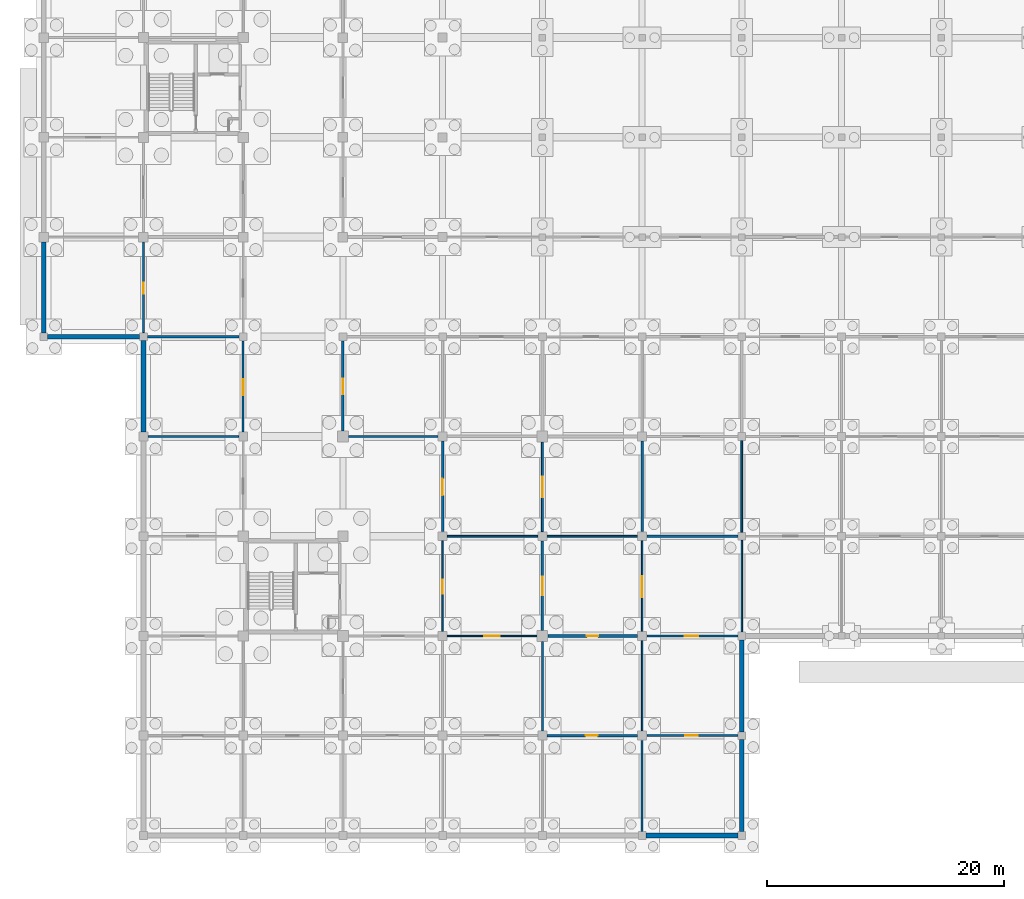
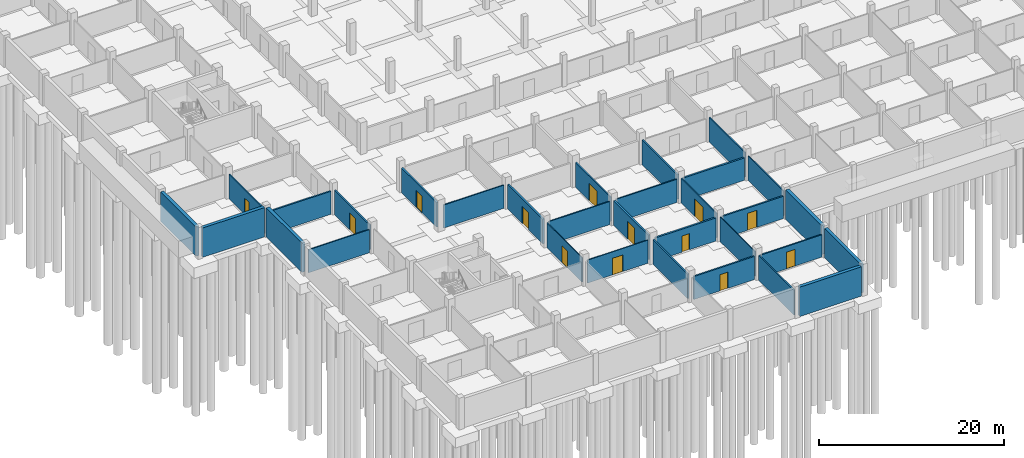
# One storey, part 20 of 43: 31 walls, 13 doors, 13 openings.
"""IFC4 building model written with IfcOpenShell, lengths in metres."""

import ifcopenshell
import ifcopenshell.guid

model = None  # the IFC model being written
_history = None  # IfcOwnerHistory: only IFC2X3 demands one
_inside = {}  # id of a spatial element -> (the spatial element, [elements in it])
_under = {}  # id of a project, library or spatial element -> (it, [spatial elements below it])
_declared = {}  # id of a project -> (the project, [libraries it declares])
_typed = {}  # id of a type object -> (the type object, [elements of that type])
_made_of = {}  # id of a material, layer set ... -> (it, [elements and type objects made of it])


def new_model(schema):
    """Start an empty IFC model of exactly this schema.

    Asked for "IFC4X3", IfcOpenShell would pick the latest addendum, in which some entities
    have other attributes; the version numbers below select the first issue.
    IFC2X3 requires an IfcOwnerHistory on every rooted entity: one is made here for all.
    """
    global model, _history
    if schema == "IFC4X3":
        model = ifcopenshell.file(schema_version=(4, 3, 0, 0))
    else:
        model = ifcopenshell.file(schema=schema)
    _inside.clear()
    _under.clear()
    _declared.clear()
    _typed.clear()
    _made_of.clear()
    _history = None
    if model.schema == "IFC2X3":
        org = make("IfcOrganization", Name="unknown")
        user = make(
            "IfcPersonAndOrganization",
            ThePerson=make("IfcPerson", FamilyName="unknown"),
            TheOrganization=org,
        )
        app = make(
            "IfcApplication",
            ApplicationDeveloper=org,
            Version="unknown",
            ApplicationFullName="unknown",
            ApplicationIdentifier="unknown",
        )
        _history = make(
            "IfcOwnerHistory",
            OwningUser=user,
            OwningApplication=app,
            ChangeAction="ADDED",
            CreationDate=0,
        )
    return model


def make(cls, **values):
    """One entity of the class cls with the attributes given. An attribute that is None is left unset."""
    return model.create_entity(
        cls, **{name: value for name, value in values.items() if value is not None}
    )


def rooted(cls, **values):
    """An entity with a GlobalId (a new one), such as an element, a storey or a relation."""
    return make(cls, GlobalId=ifcopenshell.guid.new(), OwnerHistory=_history, **values)


def si_unit(unit_type, name, prefix=None):
    """IfcSIUnit, for example si_unit("LENGTHUNIT", "METRE", prefix="MILLI")."""
    return make("IfcSIUnit", UnitType=unit_type, Prefix=prefix, Name=name)


def assignment(units):
    """IfcUnitAssignment: the units of a project."""
    return None if units is None else make("IfcUnitAssignment", Units=units)


def point(xyz):
    """IfcCartesianPoint."""
    return None if xyz is None else make("IfcCartesianPoint", Coordinates=xyz)


def direction(xyz):
    """IfcDirection."""
    return None if xyz is None else make("IfcDirection", DirectionRatios=xyz)


def frame(location, z_axis=None, x_axis=None):
    """IfcAxis2Placement3D, a coordinate frame: its origin and axes. An axis left out is left unset."""
    return make(
        "IfcAxis2Placement3D",
        Location=point(location),
        Axis=direction(z_axis),
        RefDirection=direction(x_axis),
    )


def frame_2d(location, x_axis=None):
    """IfcAxis2Placement2D, a coordinate frame in the plane: its origin and x axis."""
    return make(
        "IfcAxis2Placement2D", Location=point(location), RefDirection=direction(x_axis)
    )


def origin():
    """The frame at (0, 0, 0) with its axes left unset."""
    return frame((0.0, 0.0, 0.0))


def place(relative_to, where):
    """IfcLocalPlacement: puts the frame where relative to a parent placement (None: the world)."""
    return make(
        "IfcLocalPlacement", PlacementRelTo=relative_to, RelativePlacement=where
    )


def context(
    kind, dimensions, precision=None, world=None, true_north=None, identifier=None
):
    """IfcGeometricRepresentationContext, for example the 3D "Model" context."""
    return make(
        "IfcGeometricRepresentationContext",
        ContextIdentifier=identifier,
        ContextType=kind,
        CoordinateSpaceDimension=dimensions,
        Precision=precision,
        WorldCoordinateSystem=world,
        TrueNorth=true_north,
    )


def subcontext(parent, identifier, kind, view, scale=None):
    """IfcGeometricRepresentationSubContext, for example "Body" below "Model"."""
    return make(
        "IfcGeometricRepresentationSubContext",
        ContextIdentifier=identifier,
        ContextType=kind,
        ParentContext=parent,
        TargetScale=scale,
        TargetView=view,
    )


def project(units=None, contexts=None):
    """IfcProject with its units and contexts."""
    return rooted(
        "IfcProject",
        Name="project",
        RepresentationContexts=contexts,
        UnitsInContext=assignment(units),
    )


def spatial(cls, under=None, at=None, **own):
    """A site, building, storey or space (cls), placed at a placement, below another one or the project."""
    s = rooted(cls, ObjectPlacement=at, **own)
    if under is not None:
        _under.setdefault(under.id(), (under, []))[1].append(s)
    return s


def profile(cls, at=None, kind="AREA", **sizes):
    """A parametric profile (cls). Its sizes go by their IFC names, for example OverallWidth=200.0."""
    return make(cls, ProfileType=kind, Position=at, **sizes)


def rectangle(**sizes):
    """IfcRectangleProfileDef."""
    return profile("IfcRectangleProfileDef", **sizes)


def extrude(swept, where, along, depth):
    """IfcExtrudedAreaSolid: the profile swept, set in the frame where, extruded along a direction by depth."""
    return make(
        "IfcExtrudedAreaSolid",
        SweptArea=swept,
        Position=where,
        ExtrudedDirection=direction(along),
        Depth=depth,
    )


def shape(context_of_items, identifier, shape_type, items):
    """IfcShapeRepresentation: the items that make up one representation, for example the "Body"."""
    return make(
        "IfcShapeRepresentation",
        ContextOfItems=context_of_items,
        RepresentationIdentifier=identifier,
        RepresentationType=shape_type,
        Items=items,
    )


def material(Name=None, Category=None):
    """IfcMaterial."""
    return make("IfcMaterial", Name=Name, Category=Category)


def layer(
    of_material, thickness, ventilated=None, Name=None, Category=None, Priority=None
):
    """IfcMaterialLayer: one layer of a wall or slab, of a material (None: an air gap)."""
    return make(
        "IfcMaterialLayer",
        Material=of_material,
        LayerThickness=thickness,
        IsVentilated=ventilated,
        Name=Name,
        Category=Category,
        Priority=Priority,
    )


def layer_set(layers, Name=None):
    """IfcMaterialLayerSet."""
    return make("IfcMaterialLayerSet", MaterialLayers=layers, LayerSetName=Name)


def made_of(thing, what):
    """Note that an element or type object is made of a material, layer set ...; save() writes the relation."""
    if what is not None:
        _made_of.setdefault(what.id(), (what, []))[1].append(thing)
    return thing


def type_object(cls, material=None, **own):
    """A type object (cls), such as IfcWallType, which elements share."""
    return made_of(rooted(cls, **own), material)


def element(
    cls,
    number,
    at=None,
    inside=None,
    cuts=None,
    type_object=None,
    material=None,
    context=None,
    identifier="Body",
    shape_type=None,
    held_by="IfcProductDefinitionShape",
    body=None,
    shapes=None,
    **own,
):
    """One element of the class cls, such as IfcWall. Its Tag is "e" and its number.

    at: its placement. inside: the storey or other place that contains it. cuts: it is an
    opening in that element (IfcRelVoidsElement). A single representation is given by context,
    identifier, shape_type and body (its items); several are given by shapes. held_by: the class
    of the entity that holds the representations. save() writes the other relations.
    """
    e = rooted(cls, Tag="e%d" % number, ObjectPlacement=at, **own)
    if body is not None:
        shapes = [shape(context, identifier, shape_type, body)]
    if shapes is not None:
        e.Representation = make(held_by, Representations=shapes)
    if inside is not None:
        _inside.setdefault(inside.id(), (inside, []))[1].append(e)
    if cuts is not None:
        rooted(
            "IfcRelVoidsElement", RelatingBuildingElement=cuts, RelatedOpeningElement=e
        )
    if type_object is not None:
        _typed.setdefault(type_object.id(), (type_object, []))[1].append(e)
    return made_of(e, material)


def fill(opening, filler):
    """IfcRelFillsElement: the door or window that sits in an opening."""
    return rooted(
        "IfcRelFillsElement",
        RelatingOpeningElement=opening,
        RelatedBuildingElement=filler,
    )


def aggregate(whole, parts):
    """IfcRelAggregates: a whole, such as a stair, and the parts it consists of."""
    return rooted("IfcRelAggregates", RelatingObject=whole, RelatedObjects=parts)


def save(model, path):
    """Write the relations noted so far, then the file.

    IfcRelAggregates (storeys below a building ...), IfcRelContainedInSpatialStructure (elements
    in a storey), IfcRelDefinesByType, IfcRelAssociatesMaterial and IfcRelDeclares: one each for
    every whole, place, type object, material and project.
    """
    for whole, parts in _under.values():
        aggregate(whole, parts)
    for where, things in _inside.values():
        rooted(
            "IfcRelContainedInSpatialStructure",
            RelatedElements=things,
            RelatingStructure=where,
        )
    for kind, things in _typed.values():
        rooted("IfcRelDefinesByType", RelatedObjects=things, RelatingType=kind)
    for what, things in _made_of.values():
        rooted("IfcRelAssociatesMaterial", RelatedObjects=things, RelatingMaterial=what)
    for by, libraries in _declared.values():
        rooted("IfcRelDeclares", RelatingContext=by, RelatedDefinitions=libraries)
    model.write(path)


model = new_model("IFC4")

# Units and contexts
model_context = context("Model", 3, precision=1e-05, world=origin(), true_north=direction((0.0, 1.0)))
body_context = subcontext(model_context, "Body", "Model", "MODEL_VIEW")
ifc_project = project(units=[si_unit("LENGTHUNIT", "METRE"), si_unit("AREAUNIT", "SQUARE_METRE"), si_unit("VOLUMEUNIT", "CUBIC_METRE"), si_unit("PLANEANGLEUNIT", "RADIAN"), si_unit("MASSUNIT", "GRAM", prefix="KILO")], contexts=[model_context])

# Site, building, storey
site_placement = place(None, origin())
site = spatial("IfcSite", under=ifc_project, at=site_placement, CompositionType="ELEMENT")
building_placement = place(site_placement, origin())
building = spatial("IfcBuilding", under=site, at=building_placement, Name="Varnapada Polytechnic", CompositionType="ELEMENT")
storey_placement = place(building_placement, frame((0.0, 0.0, -4.199951171875)))
storey = spatial("IfcBuildingStorey", under=building, at=storey_placement, Name="B1", CompositionType="ELEMENT", Elevation=-4.199951171875)

# Wall, opening, door
ifc_material_1 = material(Name="Autoclaved Aerated Concrete Block AAC-600", Category="concrete")
ifc_layer_1 = layer(ifc_material_1, 0.14990234375)
ifc_layer_set_1 = layer_set([ifc_layer_1], Name="Autoclaved Aerated Concrete Block AAC-600")
wall_type_1 = type_object("IfcWallType", Name="Interior Wall IW-02", PredefinedType="PARTITIONING", material=ifc_layer_set_1)
wall_1_placement = place(storey_placement, frame((8.39990234375, 42.344970703125, 0.0), z_axis=(0.0, 0.0, 1.0), x_axis=(0.0, 1.0, 0.0)))
wall_1 = element("IfcWall", 1, at=wall_1_placement, inside=storey, type_object=wall_type_1, Name="B1 interior partition IW-B1-00-05-V", PredefinedType="PARTITIONING", context=body_context, shape_type="SweptSolid", body=[
    extrude(rectangle(XDim=7.635009765625, YDim=0.14990234375, at=frame_2d((3.8173828125, 0.0))), origin(), (0.0, 0.0, 1.0), 3.25),
])
opening_1_placement = place(wall_1_placement, frame((3.27490234375, 0.0, 0.0)))
opening_1 = element("IfcOpeningElement", 2, at=opening_1_placement, cuts=wall_1, Name="Opening D-613", PredefinedType="OPENING", context=body_context, shape_type="SweptSolid", body=[
    extrude(rectangle(XDim=0.949951171875, YDim=2.14990234375, at=frame_2d((0.47509765625, 1.074951171875))), frame((0.0, 0.0849609375, 0.0), z_axis=(0.0, -1.0, 0.0), x_axis=(1.0, 0.0, 0.0)), (0.0, 0.0, 1.0), 0.169921875),
])
ifc_material_2 = material(Name="Moisture-Resistant HPL Timber", Category="wood")
door_type_1 = type_object("IfcDoorType", Name="Interior Door ID-03", OperationType="NOTDEFINED", PredefinedType="DOOR", material=ifc_material_2)
door_1_placement = place(opening_1_placement, origin())
door_1 = element("IfcDoor", 3, at=door_1_placement, inside=storey, type_object=door_type_1, Name="B1 interior room door D-613", OperationType="SINGLE_SWING_RIGHT", OverallHeight=2.14990234375, OverallWidth=0.949951171875, PredefinedType="DOOR", context=body_context, shape_type="SweptSolid", body=[
    extrude(rectangle(XDim=0.949951171875, YDim=2.14990234375, at=frame_2d((0.47509765625, 1.074951171875))), frame((0.0, 0.02490234375, 0.0), z_axis=(0.0, -1.0, 0.0), x_axis=(1.0, 0.0, 0.0)), (0.0, 0.0, 1.0), 0.050048828125),
])
fill(opening_1, door_1)

# Wall
ifc_material_3 = material(Name="Calcium Silicate Acoustic Lab Partition")
ifc_layer_2 = layer(ifc_material_3, 0.135009765625)
ifc_layer_set_2 = layer_set([ifc_layer_2], Name="Calcium Silicate Acoustic Lab Partition")
wall_type_2 = type_object("IfcWallType", Name="Interior Wall IW-09", PredefinedType="PARTITIONING", material=ifc_layer_set_2)
wall_2_placement = place(storey_placement, frame((8.794921875, 33.60009765625, 0.0), z_axis=(0.0, 0.0, 1.0), x_axis=(1.0, 0.0, 0.0)))
element("IfcWall", 4, at=wall_2_placement, inside=storey, type_object=wall_type_2, Name="B1 interior partition IW-B1-01-03-H", PredefinedType="PARTITIONING", context=body_context, shape_type="SweptSolid", body=[
    extrude(rectangle(XDim=7.610107421875, YDim=0.135009765625, at=frame_2d((3.80517578125, 0.0))), origin(), (0.0, 0.0, 1.0), 3.050048828125),
])

# Wall, opening, door
ifc_material_4 = material(Name="Double-Layer Fireboard Workshop Wall")
ifc_layer_3 = layer(ifc_material_4, 0.169921875)
ifc_layer_set_3 = layer_set([ifc_layer_3], Name="Double-Layer Fireboard Workshop Wall")
wall_type_3 = type_object("IfcWallType", Name="Interior Wall IW-10", PredefinedType="PARTITIONING", material=ifc_layer_set_3)
wall_3_placement = place(storey_placement, frame((16.800048828125, 33.9951171875, 0.0), z_axis=(0.0, 0.0, 1.0), x_axis=(0.0, 1.0, 0.0)))
wall_3 = element("IfcWall", 5, at=wall_3_placement, inside=storey, type_object=wall_type_3, Name="B1 interior partition IW-B1-01-04-V", PredefinedType="PARTITIONING", context=body_context, shape_type="SweptSolid", body=[
    extrude(rectangle(XDim=7.659912109375, YDim=0.169921875, at=frame_2d((3.830078125, 0.0))), origin(), (0.0, 0.0, 1.0), 3.25),
])
opening_2_placement = place(wall_3_placement, frame((3.074951171875, 0.0, 0.0)))
opening_2 = element("IfcOpeningElement", 6, at=opening_2_placement, cuts=wall_3, Name="Opening D-627", PredefinedType="OPENING", context=body_context, shape_type="SweptSolid", body=[
    extrude(rectangle(XDim=1.35009765625, YDim=2.25, at=frame_2d((0.675048828125, 1.125))), frame((0.0, 0.094970703125, 0.0), z_axis=(0.0, -1.0, 0.0), x_axis=(1.0, 0.0, 0.0)), (0.0, 0.0, 1.0), 0.18994140625),
])
ifc_material_5 = material(Name="Powder-Coated Aluminium 6063-T6", Category="aluminium")
door_type_2 = type_object("IfcDoorType", Name="Interior Door ID-17", OperationType="NOTDEFINED", PredefinedType="DOOR", material=ifc_material_5)
door_2_placement = place(opening_2_placement, origin())
door_2 = element("IfcDoor", 7, at=door_2_placement, inside=storey, type_object=door_type_2, Name="B1 interior room door D-627", OperationType="SINGLE_SWING_RIGHT", OverallHeight=2.25, OverallWidth=1.35009765625, PredefinedType="DOOR", context=body_context, shape_type="SweptSolid", body=[
    extrude(rectangle(XDim=1.35009765625, YDim=2.25, at=frame_2d((0.675048828125, 1.125))), frame((0.0, 0.02490234375, 0.0), z_axis=(0.0, -1.0, 0.0), x_axis=(1.0, 0.0, 0.0)), (0.0, 0.0, 1.0), 0.050048828125),
])
fill(opening_2, door_2)

# Wall
wall_4_placement = place(storey_placement, frame((50.39990234375, 0.344970703125, 0.0), z_axis=(0.0, 0.0, 1.0), x_axis=(0.0, 1.0, 0.0)))
element("IfcWall", 8, at=wall_4_placement, inside=storey, type_object=wall_type_3, Name="B1 interior partition IW-B1-05-00-V", PredefinedType="PARTITIONING", context=body_context, shape_type="SweptSolid", body=[
    extrude(rectangle(XDim=7.659912109375, YDim=0.169921875, at=frame_2d((3.830078125, 0.0))), origin(), (0.0, 0.0, 1.0), 3.25),
])

# Wall, opening, door
wall_5_placement = place(storey_placement, frame((50.794921875, 8.39990234375, 0.0), z_axis=(0.0, 0.0, 1.0), x_axis=(1.0, 0.0, 0.0)))
wall_5 = element("IfcWall", 9, at=wall_5_placement, inside=storey, type_object=wall_type_3, Name="B1 interior partition IW-B1-06-00-H", PredefinedType="PARTITIONING", context=body_context, shape_type="SweptSolid", body=[
    extrude(rectangle(XDim=7.66015625, YDim=0.169921875, at=frame_2d((3.830078125, 0.0))), origin(), (0.0, 0.0, 1.0), 2.949951171875),
])
opening_3_placement = place(wall_5_placement, frame((3.22509765625, 0.0, 0.0)))
opening_3 = element("IfcOpeningElement", 10, at=opening_3_placement, cuts=wall_5, Name="Opening D-670", PredefinedType="OPENING", context=body_context, shape_type="SweptSolid", body=[
    extrude(rectangle(XDim=1.050048828125, YDim=2.199951171875, at=frame_2d((0.52490234375, 1.10009765625))), frame((0.0, 0.094970703125, 0.0), z_axis=(0.0, -1.0, 0.0), x_axis=(1.0, 0.0, 0.0)), (0.0, 0.0, 1.0), 0.18994140625),
])
ifc_material_6 = material(Name="Solid Teak Hardwood Timber", Category="wood")
door_type_3 = type_object("IfcDoorType", Name="Interior Door ID-09", OperationType="NOTDEFINED", PredefinedType="DOOR", material=ifc_material_6)
door_3_placement = place(opening_3_placement, origin())
door_3 = element("IfcDoor", 11, at=door_3_placement, inside=storey, type_object=door_type_3, Name="B1 interior room door D-670", OperationType="SINGLE_SWING_LEFT", OverallHeight=2.199951171875, OverallWidth=1.050048828125, PredefinedType="DOOR", context=body_context, shape_type="SweptSolid", body=[
    extrude(rectangle(XDim=1.050048828125, YDim=2.199951171875, at=frame_2d((0.52490234375, 1.10009765625))), frame((0.0, 0.02490234375, 0.0), z_axis=(0.0, -1.0, 0.0), x_axis=(1.0, 0.0, 0.0)), (0.0, 0.0, 1.0), 0.050048828125),
])
fill(opening_3, door_3)

# Walls
ifc_material_7 = material(Name="Insulated Masonry Plant Room Wall", Category="masonry")
ifc_layer_4 = layer(ifc_material_7, 0.18994140625)
ifc_layer_set_4 = layer_set([ifc_layer_4], Name="Insulated Masonry Plant Room Wall")
wall_type_4 = type_object("IfcWallType", Name="Interior Wall IW-11", PredefinedType="PARTITIONING", material=ifc_layer_set_4)
wall_6_placement = place(storey_placement, frame((8.7451171875, 42.0, 0.0), z_axis=(0.0, 0.0, 1.0), x_axis=(1.0, 0.0, 0.0)))
element("IfcWall", 12, at=wall_6_placement, inside=storey, type_object=wall_type_4, Name="B1 interior partition IW-B1-01-04-H", PredefinedType="PARTITIONING", context=body_context, shape_type="SweptSolid", body=[
    extrude(rectangle(XDim=7.7099609375, YDim=0.18994140625, at=frame_2d((3.85498046875, 0.0))), origin(), (0.0, 0.0, 1.0), 3.050048828125),
])
wall_7_placement = place(storey_placement, frame((42.0, 8.794921875, 0.0), z_axis=(0.0, 0.0, 1.0), x_axis=(0.0, 1.0, 0.0)))
element("IfcWall", 13, at=wall_7_placement, inside=storey, type_object=wall_type_4, Name="B1 interior partition IW-B1-04-01-V", PredefinedType="PARTITIONING", context=body_context, shape_type="SweptSolid", body=[
    extrude(rectangle(XDim=7.53515625, YDim=0.18994140625, at=frame_2d((3.767578125, 0.0))), origin(), (0.0, 0.0, 1.0), 3.25),
])

# Wall, opening, door
wall_8_placement = place(storey_placement, frame((42.39501953125, 8.39990234375, 0.0), z_axis=(0.0, 0.0, 1.0), x_axis=(1.0, 0.0, 0.0)))
wall_8 = element("IfcWall", 14, at=wall_8_placement, inside=storey, type_object=wall_type_4, Name="B1 interior partition IW-B1-05-00-H", PredefinedType="PARTITIONING", context=body_context, shape_type="SweptSolid", body=[
    extrude(rectangle(XDim=7.60986328125, YDim=0.18994140625, at=frame_2d((3.804931640625, 0.0))), origin(), (0.0, 0.0, 1.0), 3.050048828125),
])
opening_4_placement = place(wall_8_placement, frame((3.25, 0.0, 0.0)))
opening_4 = element("IfcOpeningElement", 15, at=opening_4_placement, cuts=wall_8, Name="Opening D-663", PredefinedType="OPENING", context=body_context, shape_type="SweptSolid", body=[
    extrude(rectangle(XDim=1.0, YDim=2.14990234375, at=frame_2d((0.5, 1.074951171875))), frame((0.0, 0.10498046875, 0.0), z_axis=(0.0, -1.0, 0.0), x_axis=(1.0, 0.0, 0.0)), (0.0, 0.0, 1.0), 0.2099609375),
])
door_type_4 = type_object("IfcDoorType", Name="Interior Door ID-02", OperationType="NOTDEFINED", PredefinedType="DOOR", material=ifc_material_6)
door_4_placement = place(opening_4_placement, origin())
door_4 = element("IfcDoor", 16, at=door_4_placement, inside=storey, type_object=door_type_4, Name="B1 interior room door D-663", OperationType="SINGLE_SWING_RIGHT", OverallHeight=2.14990234375, OverallWidth=1.0, PredefinedType="DOOR", context=body_context, shape_type="SweptSolid", body=[
    extrude(rectangle(XDim=1.0, YDim=2.14990234375, at=frame_2d((0.5, 1.074951171875))), frame((0.0, 0.02490234375, 0.0), z_axis=(0.0, -1.0, 0.0), x_axis=(1.0, 0.0, 0.0)), (0.0, 0.0, 1.0), 0.050048828125),
])
fill(opening_4, door_4)

wall_9_placement = place(storey_placement, frame((50.794921875, 16.800048828125, 0.0), z_axis=(0.0, 0.0, 1.0), x_axis=(1.0, 0.0, 0.0)))
wall_9 = element("IfcWall", 17, at=wall_9_placement, inside=storey, type_object=wall_type_4, Name="B1 interior partition IW-B1-06-01-H", PredefinedType="PARTITIONING", context=body_context, shape_type="SweptSolid", body=[
    extrude(rectangle(XDim=7.66015625, YDim=0.18994140625, at=frame_2d((3.830078125, 0.0))), origin(), (0.0, 0.0, 1.0), 2.949951171875),
])
opening_5_placement = place(wall_9_placement, frame((3.175048828125, 0.0, 0.0)))
opening_5 = element("IfcOpeningElement", 18, at=opening_5_placement, cuts=wall_9, Name="Opening D-671", PredefinedType="OPENING", context=body_context, shape_type="SweptSolid", body=[
    extrude(rectangle(XDim=1.14990234375, YDim=2.25, at=frame_2d((0.574951171875, 1.125))), frame((0.0, 0.10498046875, 0.0), z_axis=(0.0, -1.0, 0.0), x_axis=(1.0, 0.0, 0.0)), (0.0, 0.0, 1.0), 0.2099609375),
])
door_type_5 = type_object("IfcDoorType", Name="Interior Door ID-10", OperationType="NOTDEFINED", PredefinedType="DOOR", material=ifc_material_5)
door_5_placement = place(opening_5_placement, frame((1.14990234375, 0.0, 0.0), z_axis=(0.0, 0.0, 1.0), x_axis=(-1.0, 0.0, 0.0)))
door_5 = element("IfcDoor", 19, at=door_5_placement, inside=storey, type_object=door_type_5, Name="B1 interior room door D-671", OperationType="SINGLE_SWING_RIGHT", OverallHeight=2.25, OverallWidth=1.14990234375, PredefinedType="DOOR", context=body_context, shape_type="SweptSolid", body=[
    extrude(rectangle(XDim=1.14990234375, YDim=2.25, at=frame_2d((0.574951171875, 1.125))), frame((0.0, 0.02490234375, 0.0), z_axis=(0.0, -1.0, 0.0), x_axis=(1.0, 0.0, 0.0)), (0.0, 0.0, 1.0), 0.050048828125),
])
fill(opening_5, door_5)

ifc_material_8 = material(Name="Timber-Stud Studio Critique Partition", Category="wood")
ifc_layer_5 = layer(ifc_material_8, 0.114990234375)
ifc_layer_set_5 = layer_set([ifc_layer_5], Name="Timber-Stud Studio Critique Partition")
wall_type_5 = type_object("IfcWallType", Name="Interior Wall IW-12", PredefinedType="PARTITIONING", material=ifc_layer_set_5)
wall_10_placement = place(storey_placement, frame((33.60009765625, 17.195068359375, 0.0), z_axis=(0.0, 0.0, 1.0), x_axis=(0.0, 1.0, 0.0)))
wall_10 = element("IfcWall", 20, at=wall_10_placement, inside=storey, type_object=wall_type_5, Name="B1 interior partition IW-B1-03-02-V", PredefinedType="PARTITIONING", context=body_context, shape_type="SweptSolid", body=[
    extrude(rectangle(XDim=7.60986328125, YDim=0.114990234375, at=frame_2d((3.804931640625, 0.0))), origin(), (0.0, 0.0, 1.0), 3.25),
])
opening_6_placement = place(wall_10_placement, frame((3.14990234375, 0.0, 0.0)))
opening_6 = element("IfcOpeningElement", 21, at=opening_6_placement, cuts=wall_10, Name="Opening D-649", PredefinedType="OPENING", context=body_context, shape_type="SweptSolid", body=[
    extrude(rectangle(XDim=1.199951171875, YDim=2.199951171875, at=frame_2d((0.60009765625, 1.10009765625))), frame((0.0, 0.0673828125, 0.0), z_axis=(0.0, -1.0, 0.0), x_axis=(1.0, 0.0, 0.0)), (0.0, 0.0, 1.0), 0.135009765625),
])
door_type_6 = type_object("IfcDoorType", Name="Interior Door ID-05", OperationType="NOTDEFINED", PredefinedType="DOOR", material=ifc_material_6)
door_6_placement = place(opening_6_placement, origin())
door_6 = element("IfcDoor", 22, at=door_6_placement, inside=storey, type_object=door_type_6, Name="B1 interior room door D-649", OperationType="SINGLE_SWING_RIGHT", OverallHeight=2.199951171875, OverallWidth=1.199951171875, PredefinedType="DOOR", context=body_context, shape_type="SweptSolid", body=[
    extrude(rectangle(XDim=1.199951171875, YDim=2.199951171875, at=frame_2d((0.60009765625, 1.10009765625))), frame((0.0, 0.02490234375, 0.0), z_axis=(0.0, -1.0, 0.0), x_axis=(1.0, 0.0, 0.0)), (0.0, 0.0, 1.0), 0.050048828125),
])
fill(opening_6, door_6)

wall_11_placement = place(storey_placement, frame((33.9951171875, 16.800048828125, 0.0), z_axis=(0.0, 0.0, 1.0), x_axis=(1.0, 0.0, 0.0)))
wall_11 = element("IfcWall", 23, at=wall_11_placement, inside=storey, type_object=wall_type_5, Name="B1 interior partition IW-B1-04-01-H", PredefinedType="PARTITIONING", context=body_context, shape_type="SweptSolid", body=[
    extrude(rectangle(XDim=7.534912109375, YDim=0.114990234375, at=frame_2d((3.767578125, 0.0))), origin(), (0.0, 0.0, 1.0), 3.050048828125),
])
opening_7_placement = place(wall_11_placement, frame((3.10009765625, 0.0, 0.0)))
opening_7 = element("IfcOpeningElement", 24, at=opening_7_placement, cuts=wall_11, Name="Opening D-655", PredefinedType="OPENING", context=body_context, shape_type="SweptSolid", body=[
    extrude(rectangle(XDim=1.300048828125, YDim=2.199951171875, at=frame_2d((0.64990234375, 1.10009765625))), frame((0.0, 0.0673828125, 0.0), z_axis=(0.0, -1.0, 0.0), x_axis=(1.0, 0.0, 0.0)), (0.0, 0.0, 1.0), 0.135009765625),
])
ifc_material_9 = material(Name="Acoustic Laminated Timber Leaf", Category="wood")
door_type_7 = type_object("IfcDoorType", Name="Interior Door ID-11", OperationType="NOTDEFINED", PredefinedType="DOOR", material=ifc_material_9)
door_7_placement = place(opening_7_placement, origin())
door_7 = element("IfcDoor", 25, at=door_7_placement, inside=storey, type_object=door_type_7, Name="B1 interior room door D-655", OperationType="SINGLE_SWING_RIGHT", OverallHeight=2.199951171875, OverallWidth=1.300048828125, PredefinedType="DOOR", context=body_context, shape_type="SweptSolid", body=[
    extrude(rectangle(XDim=1.300048828125, YDim=2.199951171875, at=frame_2d((0.64990234375, 1.10009765625))), frame((0.0, 0.02490234375, 0.0), z_axis=(0.0, -1.0, 0.0), x_axis=(1.0, 0.0, 0.0)), (0.0, 0.0, 1.0), 0.050048828125),
])
fill(opening_7, door_7)

# Walls
wall_12_placement = place(storey_placement, frame((50.39990234375, 8.794921875, 0.0), z_axis=(0.0, 0.0, 1.0), x_axis=(0.0, 1.0, 0.0)))
element("IfcWall", 26, at=wall_12_placement, inside=storey, type_object=wall_type_5, Name="B1 interior partition IW-B1-05-01-V", PredefinedType="PARTITIONING", context=body_context, shape_type="SweptSolid", body=[
    extrude(rectangle(XDim=7.610107421875, YDim=0.114990234375, at=frame_2d((3.80517578125, 0.0))), origin(), (0.0, 0.0, 1.0), 3.25),
])
wall_13_placement = place(storey_placement, frame((58.800048828125, 17.14501953125, 0.0), z_axis=(0.0, 0.0, 1.0), x_axis=(0.0, 1.0, 0.0)))
element("IfcWall", 27, at=wall_13_placement, inside=storey, type_object=wall_type_5, Name="B1 interior partition IW-B1-06-02-V", PredefinedType="PARTITIONING", context=body_context, shape_type="SweptSolid", body=[
    extrude(rectangle(XDim=7.7099609375, YDim=0.114990234375, at=frame_2d((3.85498046875, 0.0))), origin(), (0.0, 0.0, 1.0), 3.25),
])

# Wall, opening, door
ifc_material_10 = material(Name="Heavy Acoustic Auditorium Baffle Wall")
ifc_layer_6 = layer(ifc_material_10, 0.219970703125)
ifc_layer_set_6 = layer_set([ifc_layer_6], Name="Heavy Acoustic Auditorium Baffle Wall")
wall_type_6 = type_object("IfcWallType", Name="Interior Wall IW-13", PredefinedType="PARTITIONING", material=ifc_layer_set_6)
wall_14_placement = place(storey_placement, frame((25.199951171875, 34.070068359375, 0.0), z_axis=(0.0, 0.0, 1.0), x_axis=(0.0, 1.0, 0.0)))
wall_14 = element("IfcWall", 28, at=wall_14_placement, inside=storey, type_object=wall_type_6, Name="B1 interior partition IW-B1-02-04-V", PredefinedType="PARTITIONING", context=body_context, shape_type="SweptSolid", body=[
    extrude(rectangle(XDim=7.5849609375, YDim=0.219970703125, at=frame_2d((3.79248046875, 0.0))), origin(), (0.0, 0.0, 1.0), 3.25),
])
opening_8_placement = place(wall_14_placement, frame((3.10009765625, 0.0, 0.0)))
opening_8 = element("IfcOpeningElement", 29, at=opening_8_placement, cuts=wall_14, Name="Opening D-638", PredefinedType="OPENING", context=body_context, shape_type="SweptSolid", body=[
    extrude(rectangle(XDim=1.300048828125, YDim=2.199951171875, at=frame_2d((0.64990234375, 1.10009765625))), frame((0.0, 0.119873046875, 0.0), z_axis=(0.0, -1.0, 0.0), x_axis=(1.0, 0.0, 0.0)), (0.0, 0.0, 1.0), 0.239990234375),
])
door_8_placement = place(opening_8_placement, frame((1.300048828125, 0.0, 0.0), z_axis=(0.0, 0.0, 1.0), x_axis=(-1.0, 0.0, 0.0)))
door_8 = element("IfcDoor", 30, at=door_8_placement, inside=storey, type_object=door_type_7, Name="B1 interior room door D-638", OperationType="SINGLE_SWING_LEFT", OverallHeight=2.199951171875, OverallWidth=1.300048828125, PredefinedType="DOOR", context=body_context, shape_type="SweptSolid", body=[
    extrude(rectangle(XDim=1.300048828125, YDim=2.199951171875, at=frame_2d((0.64990234375, 1.10009765625))), frame((0.0, 0.02490234375, 0.0), z_axis=(0.0, -1.0, 0.0), x_axis=(1.0, 0.0, 0.0)), (0.0, 0.0, 1.0), 0.050048828125),
])
fill(opening_8, door_8)

wall_15_placement = place(storey_placement, frame((33.60009765625, 25.594970703125, 0.0), z_axis=(0.0, 0.0, 1.0), x_axis=(0.0, 1.0, 0.0)))
wall_15 = element("IfcWall", 31, at=wall_15_placement, inside=storey, type_object=wall_type_6, Name="B1 interior partition IW-B1-03-03-V", PredefinedType="PARTITIONING", context=body_context, shape_type="SweptSolid", body=[
    extrude(rectangle(XDim=7.610107421875, YDim=0.219970703125, at=frame_2d((3.80517578125, 0.0))), origin(), (0.0, 0.0, 1.0), 3.25),
])
opening_9_placement = place(wall_15_placement, frame((3.050048828125, 0.0, 0.0)))
opening_9 = element("IfcOpeningElement", 32, at=opening_9_placement, cuts=wall_15, Name="Opening D-650", PredefinedType="OPENING", context=body_context, shape_type="SweptSolid", body=[
    extrude(rectangle(XDim=1.39990234375, YDim=2.25, at=frame_2d((0.699951171875, 1.125))), frame((0.0, 0.119873046875, 0.0), z_axis=(0.0, -1.0, 0.0), x_axis=(1.0, 0.0, 0.0)), (0.0, 0.0, 1.0), 0.239990234375),
])
door_type_8 = type_object("IfcDoorType", Name="Interior Door ID-06", OperationType="NOTDEFINED", PredefinedType="DOOR", material=ifc_material_5)
door_9_placement = place(opening_9_placement, frame((1.39990234375, 0.0, 0.0), z_axis=(0.0, 0.0, 1.0), x_axis=(-1.0, 0.0, 0.0)))
door_9 = element("IfcDoor", 33, at=door_9_placement, inside=storey, type_object=door_type_8, Name="B1 interior room door D-650", OperationType="SINGLE_SWING_LEFT", OverallHeight=2.25, OverallWidth=1.39990234375, PredefinedType="DOOR", context=body_context, shape_type="SweptSolid", body=[
    extrude(rectangle(XDim=1.39990234375, YDim=2.25, at=frame_2d((0.699951171875, 1.125))), frame((0.0, 0.02490234375, 0.0), z_axis=(0.0, -1.0, 0.0), x_axis=(1.0, 0.0, 0.0)), (0.0, 0.0, 1.0), 0.050048828125),
])
fill(opening_9, door_9)

wall_16_placement = place(storey_placement, frame((42.0, 17.27001953125, 0.0), z_axis=(0.0, 0.0, 1.0), x_axis=(0.0, 1.0, 0.0)))
wall_16 = element("IfcWall", 34, at=wall_16_placement, inside=storey, type_object=wall_type_6, Name="B1 interior partition IW-B1-04-02-V", PredefinedType="PARTITIONING", context=body_context, shape_type="SweptSolid", body=[
    extrude(rectangle(XDim=7.534912109375, YDim=0.219970703125, at=frame_2d((3.767578125, 0.0))), origin(), (0.0, 0.0, 1.0), 3.25),
])
opening_10_placement = place(wall_16_placement, frame((2.97509765625, 0.0, 0.0)))
opening_10 = element("IfcOpeningElement", 35, at=opening_10_placement, cuts=wall_16, Name="Opening D-656", PredefinedType="OPENING", context=body_context, shape_type="SweptSolid", body=[
    extrude(rectangle(XDim=1.550048828125, YDim=2.35009765625, at=frame_2d((0.77490234375, 1.175048828125))), frame((0.0, 0.119873046875, 0.0), z_axis=(0.0, -1.0, 0.0), x_axis=(1.0, 0.0, 0.0)), (0.0, 0.0, 1.0), 0.239990234375),
])
ifc_material_11 = material(Name="Galvanized Steel Z275", Category="steel")
door_type_9 = type_object("IfcDoorType", Name="Interior Door ID-12", OperationType="NOTDEFINED", PredefinedType="DOOR", material=ifc_material_11)
door_10_placement = place(opening_10_placement, frame((1.550048828125, 0.0, 0.0), z_axis=(0.0, 0.0, 1.0), x_axis=(-1.0, 0.0, 0.0)))
door_10 = element("IfcDoor", 36, at=door_10_placement, inside=storey, type_object=door_type_9, Name="B1 interior room door D-656", OperationType="SINGLE_SWING_LEFT", OverallHeight=2.35009765625, OverallWidth=1.550048828125, PredefinedType="DOOR", context=body_context, shape_type="SweptSolid", body=[
    extrude(rectangle(XDim=1.550048828125, YDim=2.35009765625, at=frame_2d((0.77490234375, 1.175048828125))), frame((0.0, 0.02490234375, 0.0), z_axis=(0.0, -1.0, 0.0), x_axis=(1.0, 0.0, 0.0)), (0.0, 0.0, 1.0), 0.050048828125),
])
fill(opening_10, door_10)

wall_17_placement = place(storey_placement, frame((42.469970703125, 16.800048828125, 0.0), z_axis=(0.0, 0.0, 1.0), x_axis=(1.0, 0.0, 0.0)))
wall_17 = element("IfcWall", 37, at=wall_17_placement, inside=storey, type_object=wall_type_6, Name="B1 interior partition IW-B1-05-01-H", PredefinedType="PARTITIONING", context=body_context, shape_type="SweptSolid", body=[
    extrude(rectangle(XDim=7.534912109375, YDim=0.219970703125, at=frame_2d((3.767578125, 0.0))), origin(), (0.0, 0.0, 1.0), 3.050048828125),
])
opening_11_placement = place(wall_17_placement, frame((3.27490234375, 0.0, 0.0)))
opening_11 = element("IfcOpeningElement", 38, at=opening_11_placement, cuts=wall_17, Name="Opening D-664", PredefinedType="OPENING", context=body_context, shape_type="SweptSolid", body=[
    extrude(rectangle(XDim=0.949951171875, YDim=2.14990234375, at=frame_2d((0.47509765625, 1.074951171875))), frame((0.0, 0.119873046875, 0.0), z_axis=(0.0, -1.0, 0.0), x_axis=(1.0, 0.0, 0.0)), (0.0, 0.0, 1.0), 0.239990234375),
])
door_11_placement = place(opening_11_placement, origin())
door_11 = element("IfcDoor", 39, at=door_11_placement, inside=storey, type_object=door_type_1, Name="B1 interior room door D-664", OperationType="SINGLE_SWING_LEFT", OverallHeight=2.14990234375, OverallWidth=0.949951171875, PredefinedType="DOOR", context=body_context, shape_type="SweptSolid", body=[
    extrude(rectangle(XDim=0.949951171875, YDim=2.14990234375, at=frame_2d((0.47509765625, 1.074951171875))), frame((0.0, 0.02490234375, 0.0), z_axis=(0.0, -1.0, 0.0), x_axis=(1.0, 0.0, 0.0)), (0.0, 0.0, 1.0), 0.050048828125),
])
fill(opening_11, door_11)

# Walls
wall_18_placement = place(storey_placement, frame((50.794921875, 25.199951171875, 0.0), z_axis=(0.0, 0.0, 1.0), x_axis=(1.0, 0.0, 0.0)))
element("IfcWall", 40, at=wall_18_placement, inside=storey, type_object=wall_type_6, Name="B1 interior partition IW-B1-06-02-H", PredefinedType="PARTITIONING", context=body_context, shape_type="SweptSolid", body=[
    extrude(rectangle(XDim=7.66015625, YDim=0.219970703125, at=frame_2d((3.830078125, 0.0))), origin(), (0.0, 0.0, 1.0), 2.949951171875),
])
ifc_material_12 = material(Name="Ceramic-Tiled Wet Laboratory Wall")
ifc_layer_7 = layer(ifc_material_12, 0.14501953125)
ifc_layer_set_7 = layer_set([ifc_layer_7], Name="Ceramic-Tiled Wet Laboratory Wall")
wall_type_7 = type_object("IfcWallType", Name="Interior Wall IW-14", PredefinedType="PARTITIONING", material=ifc_layer_set_7)
wall_19_placement = place(storey_placement, frame((25.669921875, 33.60009765625, 0.0), z_axis=(0.0, 0.0, 1.0), x_axis=(1.0, 0.0, 0.0)))
element("IfcWall", 41, at=wall_19_placement, inside=storey, type_object=wall_type_7, Name="B1 interior partition IW-B1-03-03-H", PredefinedType="PARTITIONING", context=body_context, shape_type="SweptSolid", body=[
    extrude(rectangle(XDim=7.53515625, YDim=0.14501953125, at=frame_2d((3.767578125, 0.0))), origin(), (0.0, 0.0, 1.0), 3.050048828125),
])
wall_20_placement = place(storey_placement, frame((33.9951171875, 25.199951171875, 0.0), z_axis=(0.0, 0.0, 1.0), x_axis=(1.0, 0.0, 0.0)))
element("IfcWall", 42, at=wall_20_placement, inside=storey, type_object=wall_type_7, Name="B1 interior partition IW-B1-04-02-H", PredefinedType="PARTITIONING", context=body_context, shape_type="SweptSolid", body=[
    extrude(rectangle(XDim=7.60986328125, YDim=0.14501953125, at=frame_2d((3.804931640625, 0.0))), origin(), (0.0, 0.0, 1.0), 3.050048828125),
])

# Wall, opening, door
wall_21_placement = place(storey_placement, frame((50.39990234375, 17.195068359375, 0.0), z_axis=(0.0, 0.0, 1.0), x_axis=(0.0, 1.0, 0.0)))
wall_21 = element("IfcWall", 43, at=wall_21_placement, inside=storey, type_object=wall_type_7, Name="B1 interior partition IW-B1-05-02-V", PredefinedType="PARTITIONING", context=body_context, shape_type="SweptSolid", body=[
    extrude(rectangle(XDim=7.60986328125, YDim=0.14501953125, at=frame_2d((3.804931640625, 0.0))), origin(), (0.0, 0.0, 1.0), 3.25),
])
opening_12_placement = place(wall_21_placement, frame((2.85009765625, 0.0, 0.0)))
opening_12 = element("IfcOpeningElement", 44, at=opening_12_placement, cuts=wall_21, Name="Opening D-665", PredefinedType="OPENING", context=body_context, shape_type="SweptSolid", body=[
    extrude(rectangle(XDim=1.800048828125, YDim=2.300048828125, at=frame_2d((0.89990234375, 1.14990234375))), frame((0.0, 0.08251953125, 0.0), z_axis=(0.0, -1.0, 0.0), x_axis=(1.0, 0.0, 0.0)), (0.0, 0.0, 1.0), 0.1650390625),
])
ifc_material_13 = material(Name="Acoustic Double Timber Leaf", Category="wood")
door_type_10 = type_object("IfcDoorType", Name="Interior Door ID-04", OperationType="NOTDEFINED", PredefinedType="DOOR", material=ifc_material_13)
door_12_placement = place(opening_12_placement, frame((1.800048828125, 0.0, 0.0), z_axis=(0.0, 0.0, 1.0), x_axis=(-1.0, 0.0, 0.0)))
door_12 = element("IfcDoor", 45, at=door_12_placement, inside=storey, type_object=door_type_10, Name="B1 interior room door D-665", OperationType="SINGLE_SWING_RIGHT", OverallHeight=2.300048828125, OverallWidth=1.800048828125, PredefinedType="DOOR", context=body_context, shape_type="SweptSolid", body=[
    extrude(rectangle(XDim=1.800048828125, YDim=2.300048828125, at=frame_2d((0.89990234375, 1.14990234375))), frame((0.0, 0.02490234375, 0.0), z_axis=(0.0, -1.0, 0.0), x_axis=(1.0, 0.0, 0.0)), (0.0, 0.0, 1.0), 0.050048828125),
])
fill(opening_12, door_12)

# Wall
wall_22_placement = place(storey_placement, frame((58.800048828125, 25.544921875, 0.0), z_axis=(0.0, 0.0, 1.0), x_axis=(0.0, 1.0, 0.0)))
element("IfcWall", 46, at=wall_22_placement, inside=storey, type_object=wall_type_7, Name="B1 interior partition IW-B1-06-03-V", PredefinedType="PARTITIONING", context=body_context, shape_type="SweptSolid", body=[
    extrude(rectangle(XDim=7.7099609375, YDim=0.14501953125, at=frame_2d((3.85498046875, 0.0))), origin(), (0.0, 0.0, 1.0), 3.25),
])

# Wall, opening, door
ifc_material_14 = material(Name="Perforated Timber-Lined Seminar Wall", Category="wood")
ifc_layer_8 = layer(ifc_material_14, 0.155029296875)
ifc_layer_set_8 = layer_set([ifc_layer_8], Name="Perforated Timber-Lined Seminar Wall")
wall_type_8 = type_object("IfcWallType", Name="Interior Wall IW-15", PredefinedType="PARTITIONING", material=ifc_layer_set_8)
wall_23_placement = place(storey_placement, frame((42.0, 25.594970703125, 0.0), z_axis=(0.0, 0.0, 1.0), x_axis=(0.0, 1.0, 0.0)))
wall_23 = element("IfcWall", 47, at=wall_23_placement, inside=storey, type_object=wall_type_8, Name="B1 interior partition IW-B1-04-03-V", PredefinedType="PARTITIONING", context=body_context, shape_type="SweptSolid", body=[
    extrude(rectangle(XDim=7.534912109375, YDim=0.155029296875, at=frame_2d((3.767578125, 0.0))), origin(), (0.0, 0.0, 1.0), 3.25),
])
opening_13_placement = place(wall_23_placement, frame((2.89990234375, 0.0, 0.0)))
opening_13 = element("IfcOpeningElement", 48, at=opening_13_placement, cuts=wall_23, Name="Opening D-657", PredefinedType="OPENING", context=body_context, shape_type="SweptSolid", body=[
    extrude(rectangle(XDim=1.699951171875, YDim=2.300048828125, at=frame_2d((0.85009765625, 1.14990234375))), frame((0.0, 0.08740234375, 0.0), z_axis=(0.0, -1.0, 0.0), x_axis=(1.0, 0.0, 0.0)), (0.0, 0.0, 1.0), 0.175048828125),
])
door_type_11 = type_object("IfcDoorType", Name="Interior Door ID-13", OperationType="NOTDEFINED", PredefinedType="DOOR", material=ifc_material_13)
door_13_placement = place(opening_13_placement, origin())
door_13 = element("IfcDoor", 49, at=door_13_placement, inside=storey, type_object=door_type_11, Name="B1 interior room door D-657", OperationType="SINGLE_SWING_RIGHT", OverallHeight=2.300048828125, OverallWidth=1.699951171875, PredefinedType="DOOR", context=body_context, shape_type="SweptSolid", body=[
    extrude(rectangle(XDim=1.699951171875, YDim=2.300048828125, at=frame_2d((0.85009765625, 1.14990234375))), frame((0.0, 0.02490234375, 0.0), z_axis=(0.0, -1.0, 0.0), x_axis=(1.0, 0.0, 0.0)), (0.0, 0.0, 1.0), 0.050048828125),
])
fill(opening_13, door_13)

# Walls
wall_24_placement = place(storey_placement, frame((42.39501953125, 25.199951171875, 0.0), z_axis=(0.0, 0.0, 1.0), x_axis=(1.0, 0.0, 0.0)))
element("IfcWall", 50, at=wall_24_placement, inside=storey, type_object=wall_type_8, Name="B1 interior partition IW-B1-05-02-H", PredefinedType="PARTITIONING", context=body_context, shape_type="SweptSolid", body=[
    extrude(rectangle(XDim=7.60986328125, YDim=0.155029296875, at=frame_2d((3.804931640625, 0.0))), origin(), (0.0, 0.0, 1.0), 3.050048828125),
])
ifc_material_15 = material(Name="Heavy Masonry Workshop Partition", Category="masonry")
ifc_layer_9 = layer(ifc_material_15, 0.2099609375)
ifc_layer_set_9 = layer_set([ifc_layer_9], Name="Heavy Masonry Workshop Partition")
wall_type_9 = type_object("IfcWallType", Name="Interior Wall IW-16", PredefinedType="PARTITIONING", material=ifc_layer_set_9)
wall_25_placement = place(storey_placement, frame((50.39990234375, 25.594970703125, 0.0), z_axis=(0.0, 0.0, 1.0), x_axis=(0.0, 1.0, 0.0)))
element("IfcWall", 51, at=wall_25_placement, inside=storey, type_object=wall_type_9, Name="B1 interior partition IW-B1-05-03-V", PredefinedType="PARTITIONING", context=body_context, shape_type="SweptSolid", body=[
    extrude(rectangle(XDim=7.610107421875, YDim=0.2099609375, at=frame_2d((3.80517578125, 0.0))), origin(), (0.0, 0.0, 1.0), 3.25),
])
ifc_material_16 = material(Name="Concrete C40/50", Category="concrete")
ifc_layer_10 = layer(ifc_material_16, 0.39990234375)
ifc_layer_set_10 = layer_set([ifc_layer_10], Name="Concrete C40/50")
wall_type_10 = type_object("IfcWallType", Name="Wall RW-01", PredefinedType="STANDARD", material=ifc_layer_set_10)
wall_26_placement = place(storey_placement, frame((8.074951171875, 42.0, 0.0), z_axis=(0.0, 0.0, 1.0), x_axis=(-1.0, 0.0, 0.0)))
element("IfcWall", 52, at=wall_26_placement, inside=storey, type_object=wall_type_10, Name="B1 perimeter retaining wall 1", PredefinedType="STANDARD", context=body_context, shape_type="SweptSolid", body=[
    extrude(rectangle(XDim=7.75, YDim=0.39990234375, at=frame_2d((3.875, 0.0))), origin(), (0.0, 0.0, 1.0), 3.8798828125),
])
wall_27_placement = place(storey_placement, frame((0.0, 42.324951171875, 0.0), z_axis=(0.0, 0.0, 1.0), x_axis=(0.0, 1.0, 0.0)))
element("IfcWall", 53, at=wall_27_placement, inside=storey, type_object=wall_type_10, Name="B1 perimeter retaining wall 2", PredefinedType="STANDARD", context=body_context, shape_type="SweptSolid", body=[
    extrude(rectangle(XDim=7.675048828125, YDim=0.39990234375, at=frame_2d((3.83740234375, 0.0))), origin(), (0.0, 0.0, 1.0), 3.8798828125),
])
wall_28_placement = place(storey_placement, frame((8.39990234375, 33.97509765625, 0.0), z_axis=(0.0, 0.0, 1.0), x_axis=(0.0, 1.0, 0.0)))
element("IfcWall", 54, at=wall_28_placement, inside=storey, type_object=wall_type_10, Name="B1 perimeter retaining wall 18", PredefinedType="STANDARD", context=body_context, shape_type="SweptSolid", body=[
    extrude(rectangle(XDim=7.699951171875, YDim=0.39990234375, at=frame_2d((3.85009765625, 0.0))), origin(), (0.0, 0.0, 1.0), 3.8798828125),
])
for number, where, z_axis, x_axis, name in (
    (55, (58.47509765625, 0.0, 0.0), (0.0, 0.0, 1.0), (-1.0, 0.0, 0.0), "B1 perimeter retaining wall 29"),
    (56, (58.800048828125, 8.074951171875, 0.0), (0.0, 0.0, 1.0), (0.0, -1.0, 0.0), "B1 perimeter retaining wall 30"),
    (57, (58.800048828125, 16.47509765625, 0.0), (0.0, 0.0, 1.0), (0.0, -1.0, 0.0), "B1 perimeter retaining wall 31"),
):
    element("IfcWall", number, at=place(storey_placement, frame(where, z_axis=z_axis, x_axis=x_axis)), inside=storey, type_object=wall_type_10, Name=name, PredefinedType="STANDARD", context=body_context, shape_type="SweptSolid", body=[
        extrude(rectangle(XDim=7.75, YDim=0.39990234375, at=frame_2d((3.875, 0.0))), origin(), (0.0, 0.0, 1.0), 3.8798828125),
    ])

save(model, "model.ifc")
